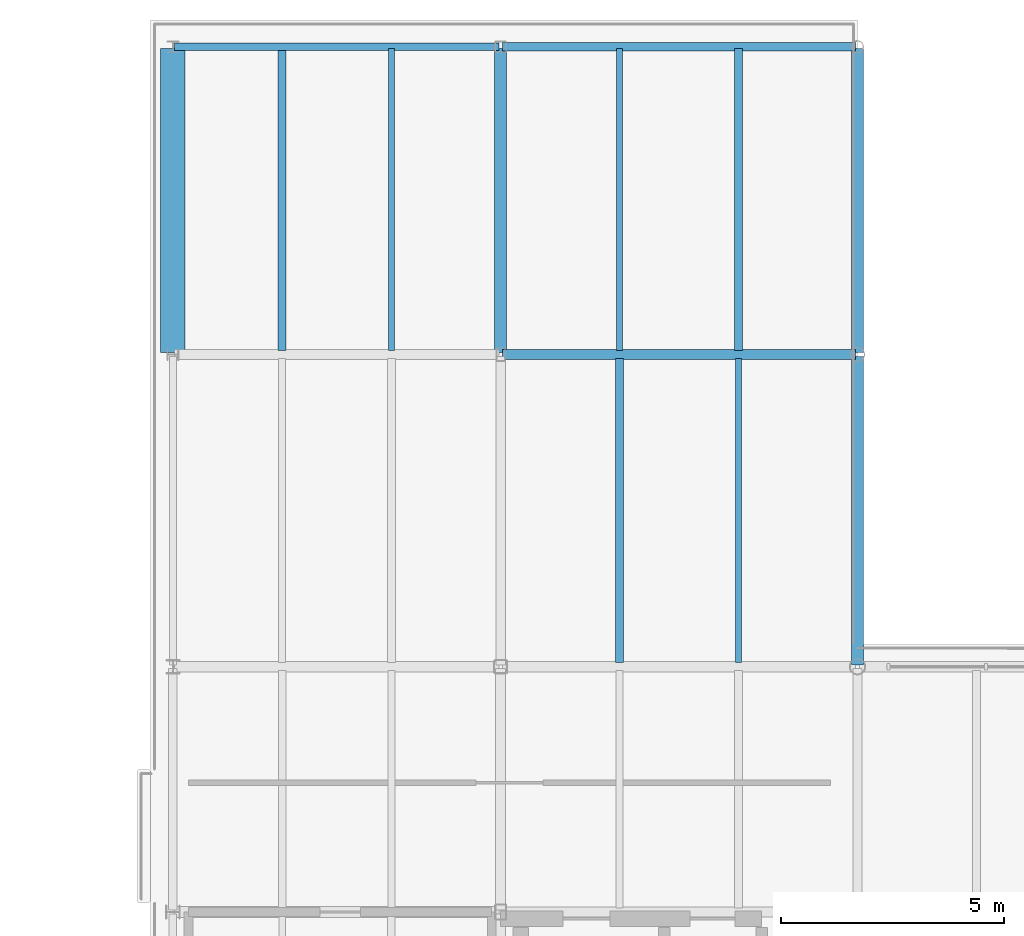
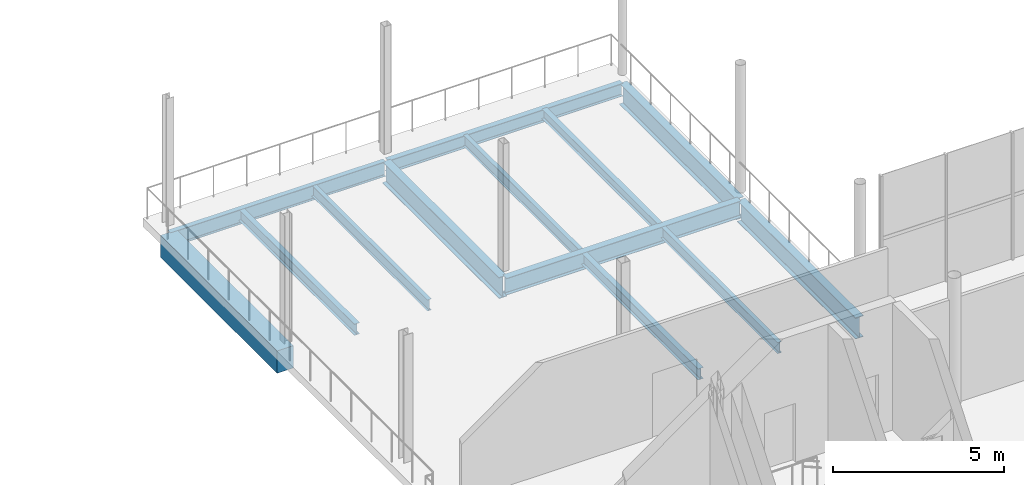
# One storey, part 37 of 70: 13 beams.
"""IFC4 building model written with IfcOpenShell, lengths in metres."""

import ifcopenshell
import ifcopenshell.guid

model = None  # the IFC model being written
_history = None  # IfcOwnerHistory: only IFC2X3 demands one
_inside = {}  # id of a spatial element -> (the spatial element, [elements in it])
_under = {}  # id of a project, library or spatial element -> (it, [spatial elements below it])
_declared = {}  # id of a project -> (the project, [libraries it declares])
_typed = {}  # id of a type object -> (the type object, [elements of that type])
_made_of = {}  # id of a material, layer set ... -> (it, [elements and type objects made of it])


def new_model(schema):
    """Start an empty IFC model of exactly this schema.

    Asked for "IFC4X3", IfcOpenShell would pick the latest addendum, in which some entities
    have other attributes; the version numbers below select the first issue.
    IFC2X3 requires an IfcOwnerHistory on every rooted entity: one is made here for all.
    """
    global model, _history
    if schema == "IFC4X3":
        model = ifcopenshell.file(schema_version=(4, 3, 0, 0))
    else:
        model = ifcopenshell.file(schema=schema)
    _inside.clear()
    _under.clear()
    _declared.clear()
    _typed.clear()
    _made_of.clear()
    _history = None
    if model.schema == "IFC2X3":
        org = make("IfcOrganization", Name="unknown")
        user = make(
            "IfcPersonAndOrganization",
            ThePerson=make("IfcPerson", FamilyName="unknown"),
            TheOrganization=org,
        )
        app = make(
            "IfcApplication",
            ApplicationDeveloper=org,
            Version="unknown",
            ApplicationFullName="unknown",
            ApplicationIdentifier="unknown",
        )
        _history = make(
            "IfcOwnerHistory",
            OwningUser=user,
            OwningApplication=app,
            ChangeAction="ADDED",
            CreationDate=0,
        )
    return model


def make(cls, **values):
    """One entity of the class cls with the attributes given. An attribute that is None is left unset."""
    return model.create_entity(
        cls, **{name: value for name, value in values.items() if value is not None}
    )


def rooted(cls, **values):
    """An entity with a GlobalId (a new one), such as an element, a storey or a relation."""
    return make(cls, GlobalId=ifcopenshell.guid.new(), OwnerHistory=_history, **values)


def si_unit(unit_type, name, prefix=None):
    """IfcSIUnit, for example si_unit("LENGTHUNIT", "METRE", prefix="MILLI")."""
    return make("IfcSIUnit", UnitType=unit_type, Prefix=prefix, Name=name)


def assignment(units):
    """IfcUnitAssignment: the units of a project."""
    return None if units is None else make("IfcUnitAssignment", Units=units)


def point(xyz):
    """IfcCartesianPoint."""
    return None if xyz is None else make("IfcCartesianPoint", Coordinates=xyz)


def direction(xyz):
    """IfcDirection."""
    return None if xyz is None else make("IfcDirection", DirectionRatios=xyz)


def frame(location, z_axis=None, x_axis=None):
    """IfcAxis2Placement3D, a coordinate frame: its origin and axes. An axis left out is left unset."""
    return make(
        "IfcAxis2Placement3D",
        Location=point(location),
        Axis=direction(z_axis),
        RefDirection=direction(x_axis),
    )


def frame_2d(location, x_axis=None):
    """IfcAxis2Placement2D, a coordinate frame in the plane: its origin and x axis."""
    return make(
        "IfcAxis2Placement2D", Location=point(location), RefDirection=direction(x_axis)
    )


def origin():
    """The frame at (0, 0, 0) with its axes left unset."""
    return frame((0.0, 0.0, 0.0))


def origin_2d():
    """The frame at (0, 0) in the plane with its x axis left unset."""
    return frame_2d((0.0, 0.0))


def place(relative_to, where):
    """IfcLocalPlacement: puts the frame where relative to a parent placement (None: the world)."""
    return make(
        "IfcLocalPlacement", PlacementRelTo=relative_to, RelativePlacement=where
    )


def context(
    kind, dimensions, precision=None, world=None, true_north=None, identifier=None
):
    """IfcGeometricRepresentationContext, for example the 3D "Model" context."""
    return make(
        "IfcGeometricRepresentationContext",
        ContextIdentifier=identifier,
        ContextType=kind,
        CoordinateSpaceDimension=dimensions,
        Precision=precision,
        WorldCoordinateSystem=world,
        TrueNorth=true_north,
    )


def subcontext(parent, identifier, kind, view, scale=None):
    """IfcGeometricRepresentationSubContext, for example "Body" below "Model"."""
    return make(
        "IfcGeometricRepresentationSubContext",
        ContextIdentifier=identifier,
        ContextType=kind,
        ParentContext=parent,
        TargetScale=scale,
        TargetView=view,
    )


def project(units=None, contexts=None):
    """IfcProject with its units and contexts."""
    return rooted(
        "IfcProject",
        Name="project",
        RepresentationContexts=contexts,
        UnitsInContext=assignment(units),
    )


def spatial(cls, under=None, at=None, **own):
    """A site, building, storey or space (cls), placed at a placement, below another one or the project."""
    s = rooted(cls, ObjectPlacement=at, **own)
    if under is not None:
        _under.setdefault(under.id(), (under, []))[1].append(s)
    return s


def profile(cls, at=None, kind="AREA", **sizes):
    """A parametric profile (cls). Its sizes go by their IFC names, for example OverallWidth=200.0."""
    return make(cls, ProfileType=kind, Position=at, **sizes)


def rectangle(**sizes):
    """IfcRectangleProfileDef."""
    return profile("IfcRectangleProfileDef", **sizes)


def i_section(**sizes):
    """IfcIShapeProfileDef."""
    return profile("IfcIShapeProfileDef", **sizes)


def extrude(swept, where, along, depth):
    """IfcExtrudedAreaSolid: the profile swept, set in the frame where, extruded along a direction by depth."""
    return make(
        "IfcExtrudedAreaSolid",
        SweptArea=swept,
        Position=where,
        ExtrudedDirection=direction(along),
        Depth=depth,
    )


def shape(context_of_items, identifier, shape_type, items):
    """IfcShapeRepresentation: the items that make up one representation, for example the "Body"."""
    return make(
        "IfcShapeRepresentation",
        ContextOfItems=context_of_items,
        RepresentationIdentifier=identifier,
        RepresentationType=shape_type,
        Items=items,
    )


def material(Name=None, Category=None):
    """IfcMaterial."""
    return make("IfcMaterial", Name=Name, Category=Category)


def material_profile(
    of_material, cross_section, Name=None, Category=None, Priority=None
):
    """IfcMaterialProfile: a cross section and its material."""
    return make(
        "IfcMaterialProfile",
        Name=Name,
        Material=of_material,
        Profile=cross_section,
        Priority=Priority,
        Category=Category,
    )


def profile_set(profiles, Name=None, composite=None):
    """IfcMaterialProfileSet."""
    return make(
        "IfcMaterialProfileSet",
        Name=Name,
        MaterialProfiles=profiles,
        CompositeProfile=composite,
    )


def made_of(thing, what):
    """Note that an element or type object is made of a material, layer set ...; save() writes the relation."""
    if what is not None:
        _made_of.setdefault(what.id(), (what, []))[1].append(thing)
    return thing


def type_object(cls, material=None, **own):
    """A type object (cls), such as IfcWallType, which elements share."""
    return made_of(rooted(cls, **own), material)


def element(
    cls,
    number,
    at=None,
    inside=None,
    cuts=None,
    type_object=None,
    material=None,
    context=None,
    identifier="Body",
    shape_type=None,
    held_by="IfcProductDefinitionShape",
    body=None,
    shapes=None,
    **own,
):
    """One element of the class cls, such as IfcWall. Its Tag is "e" and its number.

    at: its placement. inside: the storey or other place that contains it. cuts: it is an
    opening in that element (IfcRelVoidsElement). A single representation is given by context,
    identifier, shape_type and body (its items); several are given by shapes. held_by: the class
    of the entity that holds the representations. save() writes the other relations.
    """
    e = rooted(cls, Tag="e%d" % number, ObjectPlacement=at, **own)
    if body is not None:
        shapes = [shape(context, identifier, shape_type, body)]
    if shapes is not None:
        e.Representation = make(held_by, Representations=shapes)
    if inside is not None:
        _inside.setdefault(inside.id(), (inside, []))[1].append(e)
    if cuts is not None:
        rooted(
            "IfcRelVoidsElement", RelatingBuildingElement=cuts, RelatedOpeningElement=e
        )
    if type_object is not None:
        _typed.setdefault(type_object.id(), (type_object, []))[1].append(e)
    return made_of(e, material)


def aggregate(whole, parts):
    """IfcRelAggregates: a whole, such as a stair, and the parts it consists of."""
    return rooted("IfcRelAggregates", RelatingObject=whole, RelatedObjects=parts)


def save(model, path):
    """Write the relations noted so far, then the file.

    IfcRelAggregates (storeys below a building ...), IfcRelContainedInSpatialStructure (elements
    in a storey), IfcRelDefinesByType, IfcRelAssociatesMaterial and IfcRelDeclares: one each for
    every whole, place, type object, material and project.
    """
    for whole, parts in _under.values():
        aggregate(whole, parts)
    for where, things in _inside.values():
        rooted(
            "IfcRelContainedInSpatialStructure",
            RelatedElements=things,
            RelatingStructure=where,
        )
    for kind, things in _typed.values():
        rooted("IfcRelDefinesByType", RelatedObjects=things, RelatingType=kind)
    for what, things in _made_of.values():
        rooted("IfcRelAssociatesMaterial", RelatedObjects=things, RelatingMaterial=what)
    for by, libraries in _declared.values():
        rooted("IfcRelDeclares", RelatingContext=by, RelatedDefinitions=libraries)
    model.write(path)


model = new_model("IFC4")

# Units and contexts
model_context = context("Model", 3, precision=1e-05, world=origin(), true_north=direction((0.0, 1.0)))
body_context = subcontext(model_context, "Body", "Model", "MODEL_VIEW")
ifc_project = project(units=[si_unit("LENGTHUNIT", "METRE"), si_unit("AREAUNIT", "SQUARE_METRE"), si_unit("VOLUMEUNIT", "CUBIC_METRE"), si_unit("PLANEANGLEUNIT", "RADIAN"), si_unit("MASSUNIT", "GRAM", prefix="KILO")], contexts=[model_context])

# Site, building, storey
site_placement = place(None, origin())
site = spatial("IfcSite", under=ifc_project, at=site_placement, CompositionType="ELEMENT")
building_placement = place(site_placement, origin())
building = spatial("IfcBuilding", under=site, at=building_placement, Name="Brisemont Oceanarium", CompositionType="ELEMENT")
storey_placement = place(building_placement, frame((0.0, 0.0, 10.199951171875)))
storey = spatial("IfcBuildingStorey", under=building, at=storey_placement, Name="L02", CompositionType="ELEMENT", Elevation=10.199951171875)

# Beams
ifc_material_1 = material(Name="Concrete C40/50", Category="concrete")
ifc_material_profile_1 = material_profile(ifc_material_1, rectangle(XDim=0.550048828125, YDim=0.800048828125, at=origin_2d()), Name="RC-BM-550X800")
ifc_profile_set_1 = profile_set([ifc_material_profile_1], Name="Concrete C40/50")
beam_type_1 = type_object("IfcBeamType", Name="BM-RC550X800", PredefinedType="SPANDREL", material=ifc_profile_set_1)
beam_1_placement = place(storey_placement, frame((112.64990234375, 100.5400390625, -0.699951171875), z_axis=(0.0, 1.0, 0.0), x_axis=(-1.0, 0.0, 0.0)))
element("IfcBeam", 1, at=beam_1_placement, inside=storey, type_object=beam_type_1, Name="V6 L02 NS girder", PredefinedType="SPANDREL", context=body_context, shape_type="SweptSolid", body=[
    extrude(rectangle(XDim=0.550048828125, YDim=0.800048828125, at=origin_2d()), origin(), (0.0, 0.0, 1.0), 6.820068359375),
])
ifc_material_2 = material(Name="Structural Steel ASTM A992 Gr.50", Category="steel")
ifc_material_profile_2 = material_profile(ifc_material_2, i_section(OverallWidth=0.1708984375, OverallDepth=0.35107421875, WebThickness=0.0068359375, FlangeThickness=0.009765625, FilletRadius=0.010009765625, at=origin_2d()), Name="W14X30")
ifc_profile_set_2 = profile_set([ifc_material_profile_2], Name="Structural Steel ASTM A992 Gr.50")
beam_type_2 = type_object("IfcBeamType", Name="BM-W14X30", PredefinedType="JOIST", material=ifc_profile_set_2)
beam_2_placement = place(storey_placement, frame((125.333251953125, 100.590087890625, -0.475341796875), z_axis=(0.0, 1.0, 0.0), x_axis=(-1.0, 0.0, 0.0)))
element("IfcBeam", 2, at=beam_2_placement, inside=storey, type_object=beam_type_2, Name="V6 L02 secondary floor beam", PredefinedType="JOIST", context=body_context, shape_type="SweptSolid", body=[
    extrude(i_section(OverallWidth=0.1708984375, OverallDepth=0.35107421875, WebThickness=0.0068359375, FlangeThickness=0.009765625, FilletRadius=0.010009765625, at=origin_2d()), origin(), (0.0, 0.0, 1.0), 6.77001953125),
])
ifc_material_3 = material(Name="Structural Steel ASTM A992 Gr.50", Category="steel")
ifc_material_profile_3 = material_profile(ifc_material_3, i_section(OverallWidth=0.139892578125, OverallDepth=0.39892578125, WebThickness=0.00634765625, FlangeThickness=0.0087890625, FilletRadius=0.010009765625, at=origin_2d()), Name="W16X26")
ifc_profile_set_3 = profile_set([ifc_material_profile_3], Name="Structural Steel ASTM A992 Gr.50")
beam_type_3 = type_object("IfcBeamType", Name="BM-W16X26", PredefinedType="JOIST", material=ifc_profile_set_3)
beam_3_placement = place(storey_placement, frame((117.550048828125, 100.590087890625, -0.49951171875), z_axis=(0.0, 1.0, 0.0), x_axis=(-1.0, 0.0, 0.0)))
element("IfcBeam", 3, at=beam_3_placement, inside=storey, type_object=beam_type_3, Name="V6 L02 secondary floor beam", PredefinedType="JOIST", context=body_context, shape_type="SweptSolid", body=[
    extrude(i_section(OverallWidth=0.139892578125, OverallDepth=0.39892578125, WebThickness=0.00634765625, FlangeThickness=0.0087890625, FilletRadius=0.010009765625, at=origin_2d()), origin(), (0.0, 0.0, 1.0), 6.77001953125),
])
beam_4_placement = place(storey_placement, frame((125.333251953125, 93.590087890625, -0.49951171875), z_axis=(0.0, 1.0, 0.0), x_axis=(-1.0, 0.0, 0.0)))
element("IfcBeam", 4, at=beam_4_placement, inside=storey, type_object=beam_type_3, Name="V6 L02 secondary floor beam", PredefinedType="JOIST", context=body_context, shape_type="SweptSolid", body=[
    extrude(i_section(OverallWidth=0.139892578125, OverallDepth=0.39892578125, WebThickness=0.00634765625, FlangeThickness=0.0087890625, FilletRadius=0.010009765625, at=origin_2d()), origin(), (0.0, 0.0, 1.0), 6.81982421875),
])
beam_5_placement = place(storey_placement, frame((122.666748046875, 100.590087890625, -0.49951171875), z_axis=(0.0, 1.0, 0.0), x_axis=(-1.0, 0.0, 0.0)))
element("IfcBeam", 5, at=beam_5_placement, inside=storey, type_object=beam_type_3, Name="V6 L02 secondary floor beam", PredefinedType="JOIST", context=body_context, shape_type="SweptSolid", body=[
    extrude(i_section(OverallWidth=0.139892578125, OverallDepth=0.39892578125, WebThickness=0.00634765625, FlangeThickness=0.0087890625, FilletRadius=0.010009765625, at=origin_2d()), origin(), (0.0, 0.0, 1.0), 6.77001953125),
])
ifc_material_4 = material(Name="Structural Steel ASTM A992 Gr.50", Category="steel")
ifc_material_profile_4 = material_profile(ifc_material_4, i_section(OverallWidth=0.177978515625, OverallDepth=0.404052734375, WebThickness=0.007568359375, FlangeThickness=0.010986328125, FilletRadius=0.010009765625, at=origin_2d()), Name="W16X36")
ifc_profile_set_4 = profile_set([ifc_material_profile_4], Name="Structural Steel ASTM A992 Gr.50")
beam_type_4 = type_object("IfcBeamType", Name="BM-W16X36", PredefinedType="JOIST", material=ifc_profile_set_4)
beam_6_placement = place(storey_placement, frame((115.10009765625, 100.590087890625, -0.501953125), z_axis=(0.0, 1.0, 0.0), x_axis=(-1.0, 0.0, 0.0)))
element("IfcBeam", 6, at=beam_6_placement, inside=storey, type_object=beam_type_4, Name="V6 L02 secondary floor beam", PredefinedType="JOIST", context=body_context, shape_type="SweptSolid", body=[
    extrude(i_section(OverallWidth=0.177978515625, OverallDepth=0.404052734375, WebThickness=0.007568359375, FlangeThickness=0.010986328125, FilletRadius=0.010009765625, at=origin_2d()), origin(), (0.0, 0.0, 1.0), 6.77001953125),
])
beam_7_placement = place(storey_placement, frame((122.666748046875, 93.590087890625, -0.501953125), z_axis=(0.0, 1.0, 0.0), x_axis=(-1.0, 0.0, 0.0)))
element("IfcBeam", 7, at=beam_7_placement, inside=storey, type_object=beam_type_4, Name="V6 L02 secondary floor beam", PredefinedType="JOIST", context=body_context, shape_type="SweptSolid", body=[
    extrude(i_section(OverallWidth=0.177978515625, OverallDepth=0.404052734375, WebThickness=0.007568359375, FlangeThickness=0.010986328125, FilletRadius=0.010009765625, at=origin_2d()), origin(), (0.0, 0.0, 1.0), 6.81982421875),
])
ifc_material_5 = material(Name="Structural Steel ASTM A992 Gr.50", Category="steel")
ifc_material_profile_5 = material_profile(ifc_material_5, i_section(OverallWidth=0.19091796875, OverallDepth=0.4599609375, WebThickness=0.010009765625, FlangeThickness=0.01611328125, FilletRadius=0.010986328125, at=origin_2d()), Name="W18X55")
ifc_profile_set_5 = profile_set([ifc_material_profile_5], Name="Structural Steel ASTM A992 Gr.50")
beam_type_5 = type_object("IfcBeamType", Name="BM-W18X55", PredefinedType="SPANDREL", material=ifc_profile_set_5)
beam_8_placement = place(storey_placement, frame((120.0400390625, 107.39990234375, -0.530029296875), z_axis=(1.0, 0.0, 0.0), x_axis=(0.0, 1.0, 0.0)))
element("IfcBeam", 8, at=beam_8_placement, inside=storey, type_object=beam_type_5, Name="V6 L02 EW girder", PredefinedType="SPANDREL", context=body_context, shape_type="SweptSolid", body=[
    extrude(i_section(OverallWidth=0.19091796875, OverallDepth=0.4599609375, WebThickness=0.010009765625, FlangeThickness=0.01611328125, FilletRadius=0.010986328125, at=origin_2d()), origin(), (0.0, 0.0, 1.0), 7.919921875),
])
ifc_material_6 = material(Name="Structural Steel ASTM A992 Gr.50", Category="steel")
ifc_material_profile_6 = material_profile(ifc_material_6, i_section(OverallWidth=0.166015625, OverallDepth=0.528076171875, WebThickness=0.009765625, FlangeThickness=0.013671875, FilletRadius=0.012939453125, at=origin_2d()), Name="W21X50")
ifc_profile_set_6 = profile_set([ifc_material_profile_6], Name="Structural Steel ASTM A992 Gr.50")
beam_type_6 = type_object("IfcBeamType", Name="BM-W21X50", PredefinedType="SPANDREL", material=ifc_profile_set_6)
beam_9_placement = place(storey_placement, frame((112.68994140625, 107.39990234375, -0.56396484375), z_axis=(1.0, 0.0, 0.0), x_axis=(0.0, 1.0, 0.0)))
element("IfcBeam", 9, at=beam_9_placement, inside=storey, type_object=beam_type_6, Name="V6 L02 EW girder", PredefinedType="SPANDREL", context=body_context, shape_type="SweptSolid", body=[
    extrude(i_section(OverallWidth=0.166015625, OverallDepth=0.528076171875, WebThickness=0.009765625, FlangeThickness=0.013671875, FilletRadius=0.012939453125, at=origin_2d()), origin(), (0.0, 0.0, 1.0), 7.27001953125),
])
ifc_material_7 = material(Name="Structural Steel ASTM A992 Gr.50", Category="steel")
ifc_material_profile_7 = material_profile(ifc_material_7, i_section(OverallWidth=0.22802734375, OverallDepth=0.60205078125, WebThickness=0.010498046875, FlangeThickness=0.014892578125, FilletRadius=0.012939453125, at=origin_2d()), Name="W24X68")
ifc_profile_set_7 = profile_set([ifc_material_profile_7], Name="Structural Steel ASTM A992 Gr.50")
beam_type_7 = type_object("IfcBeamType", Name="BM-W24X68", PredefinedType="BEAM", material=ifc_profile_set_7)
beam_10_placement = place(storey_placement, frame((120.0400390625, 100.5, -0.600830078125), z_axis=(1.0, 0.0, 0.0), x_axis=(0.0, 1.0, 0.0)))
element("IfcBeam", 10, at=beam_10_placement, inside=storey, type_object=beam_type_7, Name="V6 L02 EW girder", PredefinedType="BEAM", context=body_context, shape_type="SweptSolid", body=[
    extrude(i_section(OverallWidth=0.22802734375, OverallDepth=0.60205078125, WebThickness=0.010498046875, FlangeThickness=0.014892578125, FilletRadius=0.012939453125, at=origin_2d()), origin(), (0.0, 0.0, 1.0), 7.919921875),
])
ifc_material_8 = material(Name="Structural Steel ASTM A992 Gr.50", Category="steel")
ifc_material_profile_8 = material_profile(ifc_material_8, i_section(OverallWidth=0.26708984375, OverallDepth=0.761962890625, WebThickness=0.014404296875, FlangeThickness=0.021484375, FilletRadius=0.01611328125, at=origin_2d()), Name="W30X116")
ifc_profile_set_8 = profile_set([ifc_material_profile_8], Name="Structural Steel ASTM A992 Gr.50")
beam_type_8 = type_object("IfcBeamType", Name="BM-W30X116", PredefinedType="BEAM", material=ifc_profile_set_8)
beam_11_placement = place(storey_placement, frame((120.0, 100.5400390625, -0.680908203125), z_axis=(0.0, 1.0, 0.0), x_axis=(-1.0, 0.0, 0.0)))
element("IfcBeam", 11, at=beam_11_placement, inside=storey, type_object=beam_type_8, Name="V6 L02 NS girder", PredefinedType="BEAM", context=body_context, shape_type="SweptSolid", body=[
    extrude(i_section(OverallWidth=0.26708984375, OverallDepth=0.761962890625, WebThickness=0.014404296875, FlangeThickness=0.021484375, FilletRadius=0.01611328125, at=origin_2d()), origin(), (0.0, 0.0, 1.0), 6.820068359375),
])
beam_12_placement = place(storey_placement, frame((128.0, 93.5400390625, -0.680908203125), z_axis=(0.0, 1.0, 0.0), x_axis=(-1.0, 0.0, 0.0)))
element("IfcBeam", 12, at=beam_12_placement, inside=storey, type_object=beam_type_8, Name="V6 L02 NS girder", PredefinedType="BEAM", context=body_context, shape_type="SweptSolid", body=[
    extrude(i_section(OverallWidth=0.26708984375, OverallDepth=0.761962890625, WebThickness=0.014404296875, FlangeThickness=0.021484375, FilletRadius=0.01611328125, at=origin_2d()), origin(), (0.0, 0.0, 1.0), 6.919921875),
])
ifc_material_9 = material(Name="Structural Steel ASTM A992 Gr.50", Category="steel")
ifc_material_profile_9 = material_profile(ifc_material_9, i_section(OverallWidth=0.264892578125, OverallDepth=0.7529296875, WebThickness=0.01318359375, FlangeThickness=0.01708984375, FilletRadius=0.01611328125, at=origin_2d()), Name="W30X99")
ifc_profile_set_9 = profile_set([ifc_material_profile_9], Name="Structural Steel ASTM A992 Gr.50")
beam_type_9 = type_object("IfcBeamType", Name="BM-W30X99", PredefinedType="BEAM", material=ifc_profile_set_9)
beam_13_placement = place(storey_placement, frame((128.0, 100.5400390625, -0.676513671875), z_axis=(0.0, 1.0, 0.0), x_axis=(-1.0, 0.0, 0.0)))
element("IfcBeam", 13, at=beam_13_placement, inside=storey, type_object=beam_type_9, Name="V6 L02 NS girder", PredefinedType="BEAM", context=body_context, shape_type="SweptSolid", body=[
    extrude(i_section(OverallWidth=0.264892578125, OverallDepth=0.7529296875, WebThickness=0.01318359375, FlangeThickness=0.01708984375, FilletRadius=0.01611328125, at=origin_2d()), origin(), (0.0, 0.0, 1.0), 6.820068359375),
])

save(model, "model.ifc")
